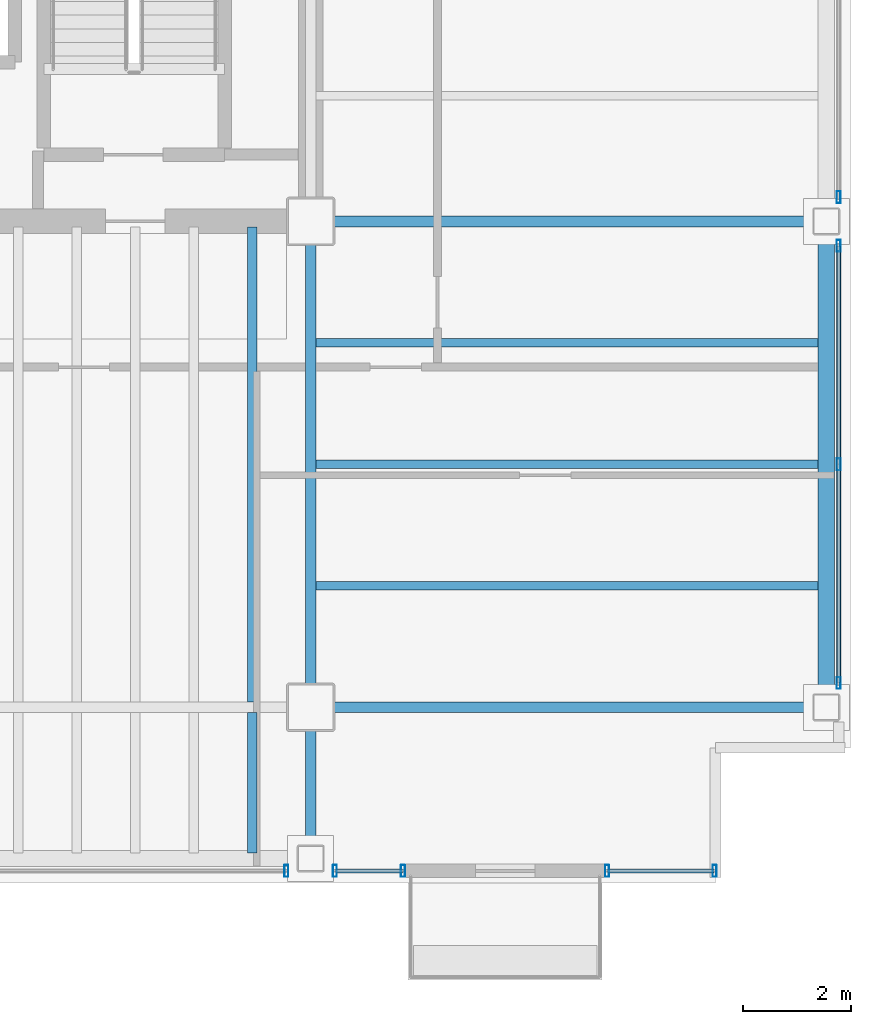
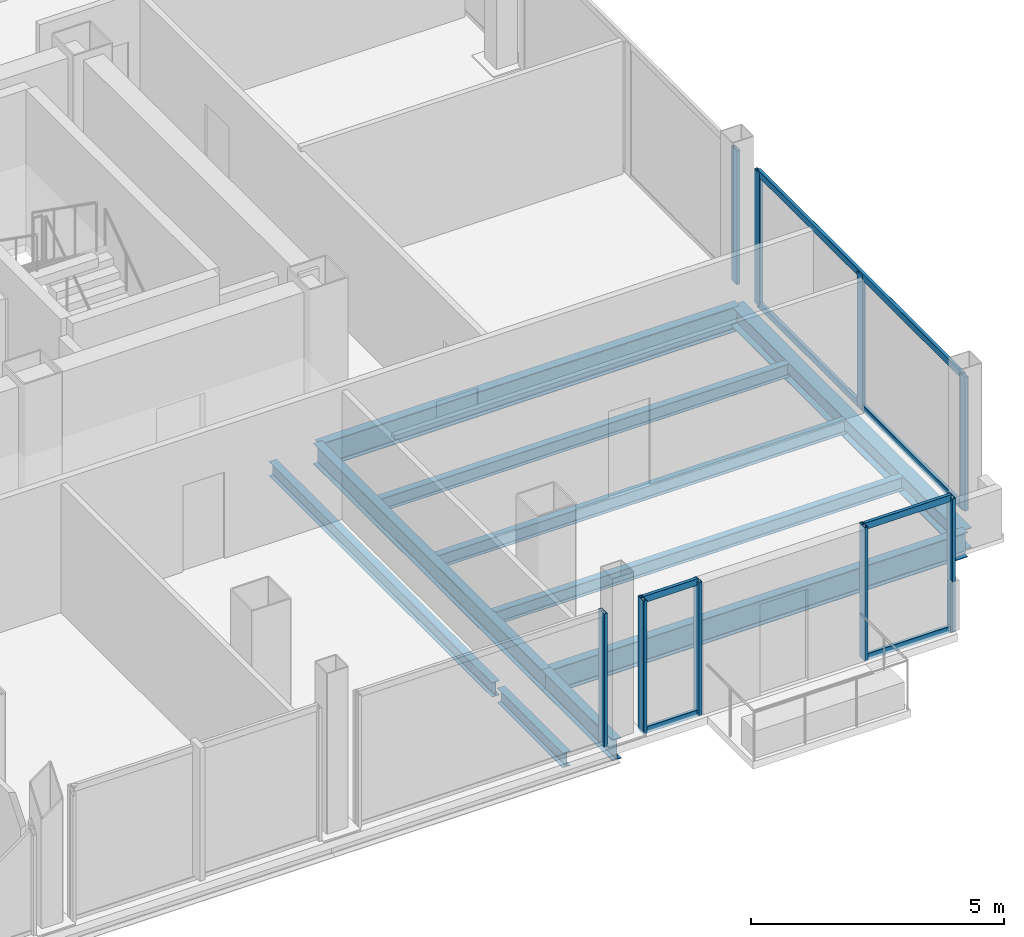
# One storey, part 10 of 16: 15 members, 10 beams, 5 elements without a shape of their own.
"""IFC4 building model written with IfcOpenShell, lengths in metres."""

import ifcopenshell
import ifcopenshell.guid

model = None  # the IFC model being written
_history = None  # IfcOwnerHistory: only IFC2X3 demands one
_inside = {}  # id of a spatial element -> (the spatial element, [elements in it])
_under = {}  # id of a project, library or spatial element -> (it, [spatial elements below it])
_declared = {}  # id of a project -> (the project, [libraries it declares])
_typed = {}  # id of a type object -> (the type object, [elements of that type])
_made_of = {}  # id of a material, layer set ... -> (it, [elements and type objects made of it])


def new_model(schema):
    """Start an empty IFC model of exactly this schema.

    Asked for "IFC4X3", IfcOpenShell would pick the latest addendum, in which some entities
    have other attributes; the version numbers below select the first issue.
    IFC2X3 requires an IfcOwnerHistory on every rooted entity: one is made here for all.
    """
    global model, _history
    if schema == "IFC4X3":
        model = ifcopenshell.file(schema_version=(4, 3, 0, 0))
    else:
        model = ifcopenshell.file(schema=schema)
    _inside.clear()
    _under.clear()
    _declared.clear()
    _typed.clear()
    _made_of.clear()
    _history = None
    if model.schema == "IFC2X3":
        org = make("IfcOrganization", Name="unknown")
        user = make(
            "IfcPersonAndOrganization",
            ThePerson=make("IfcPerson", FamilyName="unknown"),
            TheOrganization=org,
        )
        app = make(
            "IfcApplication",
            ApplicationDeveloper=org,
            Version="unknown",
            ApplicationFullName="unknown",
            ApplicationIdentifier="unknown",
        )
        _history = make(
            "IfcOwnerHistory",
            OwningUser=user,
            OwningApplication=app,
            ChangeAction="ADDED",
            CreationDate=0,
        )
    return model


def make(cls, **values):
    """One entity of the class cls with the attributes given. An attribute that is None is left unset."""
    return model.create_entity(
        cls, **{name: value for name, value in values.items() if value is not None}
    )


def rooted(cls, **values):
    """An entity with a GlobalId (a new one), such as an element, a storey or a relation."""
    return make(cls, GlobalId=ifcopenshell.guid.new(), OwnerHistory=_history, **values)


def si_unit(unit_type, name, prefix=None):
    """IfcSIUnit, for example si_unit("LENGTHUNIT", "METRE", prefix="MILLI")."""
    return make("IfcSIUnit", UnitType=unit_type, Prefix=prefix, Name=name)


def assignment(units):
    """IfcUnitAssignment: the units of a project."""
    return None if units is None else make("IfcUnitAssignment", Units=units)


def point(xyz):
    """IfcCartesianPoint."""
    return None if xyz is None else make("IfcCartesianPoint", Coordinates=xyz)


def direction(xyz):
    """IfcDirection."""
    return None if xyz is None else make("IfcDirection", DirectionRatios=xyz)


def frame(location, z_axis=None, x_axis=None):
    """IfcAxis2Placement3D, a coordinate frame: its origin and axes. An axis left out is left unset."""
    return make(
        "IfcAxis2Placement3D",
        Location=point(location),
        Axis=direction(z_axis),
        RefDirection=direction(x_axis),
    )


def frame_2d(location, x_axis=None):
    """IfcAxis2Placement2D, a coordinate frame in the plane: its origin and x axis."""
    return make(
        "IfcAxis2Placement2D", Location=point(location), RefDirection=direction(x_axis)
    )


def origin():
    """The frame at (0, 0, 0) with its axes left unset."""
    return frame((0.0, 0.0, 0.0))


def origin_2d():
    """The frame at (0, 0) in the plane with its x axis left unset."""
    return frame_2d((0.0, 0.0))


def place(relative_to, where):
    """IfcLocalPlacement: puts the frame where relative to a parent placement (None: the world)."""
    return make(
        "IfcLocalPlacement", PlacementRelTo=relative_to, RelativePlacement=where
    )


def context(
    kind, dimensions, precision=None, world=None, true_north=None, identifier=None
):
    """IfcGeometricRepresentationContext, for example the 3D "Model" context."""
    return make(
        "IfcGeometricRepresentationContext",
        ContextIdentifier=identifier,
        ContextType=kind,
        CoordinateSpaceDimension=dimensions,
        Precision=precision,
        WorldCoordinateSystem=world,
        TrueNorth=true_north,
    )


def subcontext(parent, identifier, kind, view, scale=None):
    """IfcGeometricRepresentationSubContext, for example "Body" below "Model"."""
    return make(
        "IfcGeometricRepresentationSubContext",
        ContextIdentifier=identifier,
        ContextType=kind,
        ParentContext=parent,
        TargetScale=scale,
        TargetView=view,
    )


def project(units=None, contexts=None):
    """IfcProject with its units and contexts."""
    return rooted(
        "IfcProject",
        Name="project",
        RepresentationContexts=contexts,
        UnitsInContext=assignment(units),
    )


def spatial(cls, under=None, at=None, **own):
    """A site, building, storey or space (cls), placed at a placement, below another one or the project."""
    s = rooted(cls, ObjectPlacement=at, **own)
    if under is not None:
        _under.setdefault(under.id(), (under, []))[1].append(s)
    return s


def profile(cls, at=None, kind="AREA", **sizes):
    """A parametric profile (cls). Its sizes go by their IFC names, for example OverallWidth=200.0."""
    return make(cls, ProfileType=kind, Position=at, **sizes)


def hollow_rectangle(**sizes):
    """IfcRectangleHollowProfileDef."""
    return profile("IfcRectangleHollowProfileDef", **sizes)


def i_section(**sizes):
    """IfcIShapeProfileDef."""
    return profile("IfcIShapeProfileDef", **sizes)


def extrude(swept, where, along, depth):
    """IfcExtrudedAreaSolid: the profile swept, set in the frame where, extruded along a direction by depth."""
    return make(
        "IfcExtrudedAreaSolid",
        SweptArea=swept,
        Position=where,
        ExtrudedDirection=direction(along),
        Depth=depth,
    )


def shape(context_of_items, identifier, shape_type, items):
    """IfcShapeRepresentation: the items that make up one representation, for example the "Body"."""
    return make(
        "IfcShapeRepresentation",
        ContextOfItems=context_of_items,
        RepresentationIdentifier=identifier,
        RepresentationType=shape_type,
        Items=items,
    )


def material(Name=None, Category=None):
    """IfcMaterial."""
    return make("IfcMaterial", Name=Name, Category=Category)


def material_profile(
    of_material, cross_section, Name=None, Category=None, Priority=None
):
    """IfcMaterialProfile: a cross section and its material."""
    return make(
        "IfcMaterialProfile",
        Name=Name,
        Material=of_material,
        Profile=cross_section,
        Priority=Priority,
        Category=Category,
    )


def profile_set(profiles, Name=None, composite=None):
    """IfcMaterialProfileSet."""
    return make(
        "IfcMaterialProfileSet",
        Name=Name,
        MaterialProfiles=profiles,
        CompositeProfile=composite,
    )


def made_of(thing, what):
    """Note that an element or type object is made of a material, layer set ...; save() writes the relation."""
    if what is not None:
        _made_of.setdefault(what.id(), (what, []))[1].append(thing)
    return thing


def type_object(cls, material=None, **own):
    """A type object (cls), such as IfcWallType, which elements share."""
    return made_of(rooted(cls, **own), material)


def element(
    cls,
    number,
    at=None,
    inside=None,
    cuts=None,
    type_object=None,
    material=None,
    context=None,
    identifier="Body",
    shape_type=None,
    held_by="IfcProductDefinitionShape",
    body=None,
    shapes=None,
    **own,
):
    """One element of the class cls, such as IfcWall. Its Tag is "e" and its number.

    at: its placement. inside: the storey or other place that contains it. cuts: it is an
    opening in that element (IfcRelVoidsElement). A single representation is given by context,
    identifier, shape_type and body (its items); several are given by shapes. held_by: the class
    of the entity that holds the representations. save() writes the other relations.
    """
    e = rooted(cls, Tag="e%d" % number, ObjectPlacement=at, **own)
    if body is not None:
        shapes = [shape(context, identifier, shape_type, body)]
    if shapes is not None:
        e.Representation = make(held_by, Representations=shapes)
    if inside is not None:
        _inside.setdefault(inside.id(), (inside, []))[1].append(e)
    if cuts is not None:
        rooted(
            "IfcRelVoidsElement", RelatingBuildingElement=cuts, RelatedOpeningElement=e
        )
    if type_object is not None:
        _typed.setdefault(type_object.id(), (type_object, []))[1].append(e)
    return made_of(e, material)


def aggregate(whole, parts):
    """IfcRelAggregates: a whole, such as a stair, and the parts it consists of."""
    return rooted("IfcRelAggregates", RelatingObject=whole, RelatedObjects=parts)


def save(model, path):
    """Write the relations noted so far, then the file.

    IfcRelAggregates (storeys below a building ...), IfcRelContainedInSpatialStructure (elements
    in a storey), IfcRelDefinesByType, IfcRelAssociatesMaterial and IfcRelDeclares: one each for
    every whole, place, type object, material and project.
    """
    for whole, parts in _under.values():
        aggregate(whole, parts)
    for where, things in _inside.values():
        rooted(
            "IfcRelContainedInSpatialStructure",
            RelatedElements=things,
            RelatingStructure=where,
        )
    for kind, things in _typed.values():
        rooted("IfcRelDefinesByType", RelatedObjects=things, RelatingType=kind)
    for what, things in _made_of.values():
        rooted("IfcRelAssociatesMaterial", RelatedObjects=things, RelatingMaterial=what)
    for by, libraries in _declared.values():
        rooted("IfcRelDeclares", RelatingContext=by, RelatedDefinitions=libraries)
    model.write(path)


model = new_model("IFC4")

# Units and contexts
model_context = context("Model", 3, precision=1e-05, world=origin(), true_north=direction((0.0, 1.0)))
body_context = subcontext(model_context, "Body", "Model", "MODEL_VIEW")
ifc_project = project(units=[si_unit("LENGTHUNIT", "METRE"), si_unit("AREAUNIT", "SQUARE_METRE"), si_unit("VOLUMEUNIT", "CUBIC_METRE"), si_unit("PLANEANGLEUNIT", "RADIAN"), si_unit("MASSUNIT", "GRAM", prefix="KILO")], contexts=[model_context])

# Site, building, storey
site_placement = place(None, origin())
site = spatial("IfcSite", under=ifc_project, at=site_placement, CompositionType="ELEMENT")
building_placement = place(site_placement, origin())
building = spatial("IfcBuilding", under=site, at=building_placement, Name="Noeulbin Bourse Tower", CompositionType="ELEMENT")
storey_placement = place(building_placement, frame((0.0, 0.0, 181.199951171875)))
storey = spatial("IfcBuildingStorey", under=building, at=storey_placement, Name="L45", CompositionType="ELEMENT", Elevation=181.199951171875)

# Beams
ifc_material_1 = material(Name="Steel S355", Category="steel")
ifc_material_profile_1 = material_profile(ifc_material_1, i_section(OverallWidth=0.199951171875, OverallDepth=0.5, WebThickness=0.010009765625, FlangeThickness=0.01611328125, FilletRadius=0.02001953125, at=origin_2d()), Name="H-500x200x10x16", Category="LoadBearing")
ifc_profile_set_1 = profile_set([ifc_material_profile_1], Name="Steel S355")
beam_type_1 = type_object("IfcBeamType", Name="BM-GRD-500", PredefinedType="USERDEFINED", material=ifc_profile_set_1)
beam_1_placement = place(storey_placement, frame((44.0, 17.199951171875, -0.429931640625), z_axis=(0.0, 1.0, 0.0), x_axis=(-1.0, 0.0, 0.0)))
element("IfcBeam", 1, at=beam_1_placement, inside=storey, type_object=beam_type_1, Name="Tower Primary Girder NS L45-5.1", ObjectType="GIRDER", PredefinedType="USERDEFINED", context=body_context, shape_type="SweptSolid", body=[
    extrude(i_section(OverallWidth=0.199951171875, OverallDepth=0.5, WebThickness=0.010009765625, FlangeThickness=0.01611328125, FilletRadius=0.02001953125, at=origin_2d()), origin(), (0.0, 0.0, 1.0), 2.800048828125),
])
beam_2_placement = place(storey_placement, frame((44.0, 20.0, -0.429931640625), z_axis=(0.0, 1.0, 0.0), x_axis=(-1.0, 0.0, 0.0)))
element("IfcBeam", 2, at=beam_2_placement, inside=storey, type_object=beam_type_1, Name="Tower Primary Girder NS L45-5.2", ObjectType="GIRDER", PredefinedType="USERDEFINED", context=body_context, shape_type="SweptSolid", body=[
    extrude(i_section(OverallWidth=0.199951171875, OverallDepth=0.5, WebThickness=0.010009765625, FlangeThickness=0.01611328125, FilletRadius=0.02001953125, at=origin_2d()), origin(), (0.0, 0.0, 1.0), 9.0),
])
ifc_material_profile_2 = material_profile(ifc_material_1, i_section(OverallWidth=0.199951171875, OverallDepth=0.60009765625, WebThickness=0.010986328125, FlangeThickness=0.01708984375, FilletRadius=0.02197265625, at=origin_2d()), Name="H-600x200x11x17", Category="LoadBearing")
ifc_profile_set_2 = profile_set([ifc_material_profile_2], Name="Steel S355")
beam_type_2 = type_object("IfcBeamType", Name="BM-GRD-600", PredefinedType="USERDEFINED", material=ifc_profile_set_2)
for number, where, z_axis, x_axis, name in (
    (3, (44.0, 20.0, -0.47998046875), (1.0, 0.0, 0.0), (0.0, 1.0, 0.0), "Tower Primary Girder EW L45-1.6"),
    (4, (44.0, 29.0, -0.47998046875), (1.0, 0.0, 0.0), (0.0, 1.0, 0.0), "Tower Primary Girder EW L45-2.6"),
):
    element("IfcBeam", number, at=place(storey_placement, frame(where, z_axis=z_axis, x_axis=x_axis)), inside=storey, type_object=beam_type_2, Name=name, ObjectType="GIRDER", PredefinedType="USERDEFINED", context=body_context, shape_type="SweptSolid", body=[
        extrude(i_section(OverallWidth=0.199951171875, OverallDepth=0.60009765625, WebThickness=0.010986328125, FlangeThickness=0.01708984375, FilletRadius=0.02197265625, at=origin_2d()), origin(), (0.0, 0.0, 1.0), 9.550048828125),
    ])
ifc_material_profile_3 = material_profile(ifc_material_1, i_section(OverallWidth=0.159912109375, OverallDepth=0.320068359375, WebThickness=0.006591796875, FlangeThickness=0.010009765625, FilletRadius=0.012939453125, at=origin_2d()), Name="H-320x160x6.5x10", Category="LoadBearing")
ifc_profile_set_3 = profile_set([ifc_material_profile_3], Name="Steel S355")
beam_type_3 = type_object("IfcBeamType", Name="BM-JST-320", PredefinedType="JOIST", material=ifc_profile_set_3)
for number, where, z_axis, x_axis, name in (
    (5, (44.10009765625, 22.25, -0.33984375), (1.0, 0.0, 0.0), (0.0, 1.0, 0.0), "Wing Composite Joist L45-E73"),
    (6, (44.10009765625, 24.5, -0.33984375), (1.0, 0.0, 0.0), (0.0, 1.0, 0.0), "Wing Composite Joist L45-E74"),
    (7, (44.10009765625, 26.75, -0.33984375), (1.0, 0.0, 0.0), (0.0, 1.0, 0.0), "Wing Composite Joist L45-E75"),
):
    element("IfcBeam", number, at=place(storey_placement, frame(where, z_axis=z_axis, x_axis=x_axis)), inside=storey, type_object=beam_type_3, Name=name, PredefinedType="JOIST", context=body_context, shape_type="SweptSolid", body=[
        extrude(i_section(OverallWidth=0.159912109375, OverallDepth=0.320068359375, WebThickness=0.006591796875, FlangeThickness=0.010009765625, FilletRadius=0.012939453125, at=origin_2d()), origin(), (0.0, 0.0, 1.0), 9.2998046875),
    ])
ifc_material_profile_4 = material_profile(ifc_material_1, i_section(OverallWidth=0.175048828125, OverallDepth=0.35009765625, WebThickness=0.007080078125, FlangeThickness=0.010986328125, FilletRadius=0.013916015625, at=origin_2d()), Name="H-350x175x7x11", Category="LoadBearing")
ifc_profile_set_4 = profile_set([ifc_material_profile_4], Name="Steel S355")
beam_type_4 = type_object("IfcBeamType", Name="BM-JST-350", PredefinedType="JOIST", material=ifc_profile_set_4)
beam_3_placement = place(storey_placement, frame((42.916748046875, 17.300048828125, -0.35498046875), z_axis=(0.0, 1.0, 0.0), x_axis=(-1.0, 0.0, 0.0)))
element("IfcBeam", 8, at=beam_3_placement, inside=storey, type_object=beam_type_4, Name="Tower Composite Joist L45-64", PredefinedType="JOIST", context=body_context, shape_type="SweptSolid", body=[
    extrude(i_section(OverallWidth=0.175048828125, OverallDepth=0.35009765625, WebThickness=0.007080078125, FlangeThickness=0.010986328125, FilletRadius=0.013916015625, at=origin_2d()), origin(), (0.0, 0.0, 1.0), 2.599853515625),
])
beam_4_placement = place(storey_placement, frame((42.916748046875, 20.10009765625, -0.35498046875), z_axis=(0.0, 1.0, 0.0), x_axis=(-1.0, 0.0, 0.0)))
element("IfcBeam", 9, at=beam_4_placement, inside=storey, type_object=beam_type_4, Name="Tower Composite Joist L45-65", PredefinedType="JOIST", context=body_context, shape_type="SweptSolid", body=[
    extrude(i_section(OverallWidth=0.175048828125, OverallDepth=0.35009765625, WebThickness=0.007080078125, FlangeThickness=0.010986328125, FilletRadius=0.013916015625, at=origin_2d()), origin(), (0.0, 0.0, 1.0), 8.7998046875),
])
ifc_material_profile_5 = material_profile(ifc_material_1, i_section(OverallWidth=0.300048828125, OverallDepth=0.488037109375, WebThickness=0.010986328125, FlangeThickness=0.01806640625, FilletRadius=0.02197265625, at=origin_2d()), Name="H-488x300x11x18", Category="LoadBearing")
ifc_profile_set_5 = profile_set([ifc_material_profile_5], Name="Steel S355")
beam_type_5 = type_object("IfcBeamType", Name="BM-SPN-488", PredefinedType="SPANDREL", material=ifc_profile_set_5)
beam_5_placement = place(storey_placement, frame((53.550048828125, 20.0, -0.424072265625), z_axis=(0.0, 1.0, 0.0), x_axis=(-1.0, 0.0, 0.0)))
element("IfcBeam", 10, at=beam_5_placement, inside=storey, type_object=beam_type_5, Name="East Spandrel L45-1", PredefinedType="SPANDREL", context=body_context, shape_type="SweptSolid", body=[
    extrude(i_section(OverallWidth=0.300048828125, OverallDepth=0.488037109375, WebThickness=0.010986328125, FlangeThickness=0.01806640625, FilletRadius=0.02197265625, at=origin_2d()), origin(), (0.0, 0.0, 1.0), 9.0),
])

# Curtain wall, member
ifc_material_2 = material(Name="Dark Tinted Triple Glazing", Category="glass")
curtain_wall_type = type_object("IfcCurtainWallType", Name="CW-SYS-3", PredefinedType="NOTDEFINED", material=ifc_material_2)
curtain_wall_1_placement = place(storey_placement, origin())
curtain_wall_1 = element("IfcCurtainWall", 11, at=curtain_wall_1_placement, inside=storey, type_object=curtain_wall_type, Name="Unitised Curtain Wall CW-L45-S2-S3", PredefinedType="NOTDEFINED")
ifc_material_3 = material(Name="Anodised Aluminium 6063-T6", Category="aluminium")
ifc_material_profile_6 = material_profile(ifc_material_3, hollow_rectangle(XDim=0.074951171875, YDim=0.219970703125, WallThickness=0.0048828125, InnerFilletRadius=0.00244140625, OuterFilletRadius=0.0048828125, at=origin_2d()), Name="ALU-MULL-75x220x5", Category="LoadBearing")
ifc_profile_set_6 = profile_set([ifc_material_profile_6], Name="Anodised Aluminium 6063-T6")
member_type_1 = type_object("IfcMemberType", Name="CW-SYS-3-MUL", PredefinedType="MULLION", material=ifc_profile_set_6)
member_1_placement = place(storey_placement, frame((43.550048828125, 16.969970703125, -0.02001953125), z_axis=(0.0, 0.0, 1.0), x_axis=(1.0, 0.0, 0.0)))
member_1 = element("IfcMember", 12, at=member_1_placement, type_object=member_type_1, Name="Curtain Wall Mullion CW-L45-S2-S3-M01", PredefinedType="MULLION", context=body_context, shape_type="SweptSolid", body=[
    extrude(hollow_rectangle(XDim=0.074951171875, YDim=0.219970703125, WallThickness=0.0048828125, InnerFilletRadius=0.00244140625, OuterFilletRadius=0.0048828125, at=origin_2d()), origin(), (0.0, 0.0, 1.0), 3.219970703125),
])
aggregate(curtain_wall_1, [member_1])

# Curtain wall, members
curtain_wall_2_placement = place(storey_placement, origin())
curtain_wall_2 = element("IfcCurtainWall", 13, at=curtain_wall_2_placement, inside=storey, type_object=curtain_wall_type, Name="Unitised Curtain Wall CW-L45-S2-S4", PredefinedType="NOTDEFINED")
member_2_placement = place(storey_placement, frame((44.449951171875, 16.969970703125, -0.02001953125), z_axis=(0.0, 0.0, 1.0), x_axis=(1.0, 0.0, 0.0)))
member_2 = element("IfcMember", 14, at=member_2_placement, type_object=member_type_1, Name="Curtain Wall Mullion CW-L45-S2-S4-M00", PredefinedType="MULLION", context=body_context, shape_type="SweptSolid", body=[
    extrude(hollow_rectangle(XDim=0.074951171875, YDim=0.219970703125, WallThickness=0.0048828125, InnerFilletRadius=0.00244140625, OuterFilletRadius=0.0048828125, at=origin_2d()), origin(), (0.0, 0.0, 1.0), 3.219970703125),
])
member_3_placement = place(storey_placement, frame((45.7099609375, 16.969970703125, -0.02001953125), z_axis=(0.0, 0.0, 1.0), x_axis=(1.0, 0.0, 0.0)))
member_3 = element("IfcMember", 15, at=member_3_placement, type_object=member_type_1, Name="Curtain Wall Mullion CW-L45-S2-S4-M01", PredefinedType="MULLION", context=body_context, shape_type="SweptSolid", body=[
    extrude(hollow_rectangle(XDim=0.074951171875, YDim=0.219970703125, WallThickness=0.0048828125, InnerFilletRadius=0.00244140625, OuterFilletRadius=0.0048828125, at=origin_2d()), origin(), (0.0, 0.0, 1.0), 3.219970703125),
])

curtain_wall_3_placement = place(storey_placement, origin())
curtain_wall_3 = element("IfcCurtainWall", 16, at=curtain_wall_3_placement, inside=storey, type_object=curtain_wall_type, Name="Unitised Curtain Wall CW-L45-S3", PredefinedType="NOTDEFINED")
member_4_placement = place(storey_placement, frame((49.489990234375, 16.969970703125, -0.02001953125), z_axis=(0.0, 0.0, 1.0), x_axis=(1.0, 0.0, 0.0)))
member_4 = element("IfcMember", 17, at=member_4_placement, type_object=member_type_1, Name="Curtain Wall Mullion CW-L45-S3-M00", PredefinedType="MULLION", context=body_context, shape_type="SweptSolid", body=[
    extrude(hollow_rectangle(XDim=0.074951171875, YDim=0.219970703125, WallThickness=0.0048828125, InnerFilletRadius=0.00244140625, OuterFilletRadius=0.0048828125, at=origin_2d()), origin(), (0.0, 0.0, 1.0), 3.219970703125),
])
member_5_placement = place(storey_placement, frame((51.47998046875, 16.969970703125, -0.02001953125), z_axis=(0.0, 0.0, 1.0), x_axis=(1.0, 0.0, 0.0)))
member_5 = element("IfcMember", 18, at=member_5_placement, type_object=member_type_1, Name="Curtain Wall Mullion CW-L45-S3-M01", PredefinedType="MULLION", context=body_context, shape_type="SweptSolid", body=[
    extrude(hollow_rectangle(XDim=0.074951171875, YDim=0.219970703125, WallThickness=0.0048828125, InnerFilletRadius=0.00244140625, OuterFilletRadius=0.0048828125, at=origin_2d()), origin(), (0.0, 0.0, 1.0), 3.219970703125),
])

curtain_wall_4_placement = place(storey_placement, origin())
curtain_wall_4 = element("IfcCurtainWall", 19, at=curtain_wall_4_placement, inside=storey, type_object=curtain_wall_type, Name="Unitised Curtain Wall CW-L45-E-S1", PredefinedType="NOTDEFINED")
member_6_placement = place(storey_placement, frame((53.780029296875, 20.449951171875, -0.02001953125), z_axis=(0.0, 0.0, 1.0), x_axis=(1.0, 0.0, 0.0)))
member_6 = element("IfcMember", 20, at=member_6_placement, type_object=member_type_1, Name="Curtain Wall Mullion CW-L45-E-S1-M00", PredefinedType="MULLION", context=body_context, shape_type="SweptSolid", body=[
    extrude(hollow_rectangle(XDim=0.074951171875, YDim=0.219970703125, WallThickness=0.0048828125, InnerFilletRadius=0.00244140625, OuterFilletRadius=0.0048828125, at=origin_2d()), origin(), (0.0, 0.0, 1.0), 3.219970703125),
])
member_7_placement = place(storey_placement, frame((53.780029296875, 24.5, -0.02001953125), z_axis=(0.0, 0.0, 1.0), x_axis=(1.0, 0.0, 0.0)))
member_7 = element("IfcMember", 21, at=member_7_placement, type_object=member_type_1, Name="Curtain Wall Mullion CW-L45-E-S1-M01", PredefinedType="MULLION", context=body_context, shape_type="SweptSolid", body=[
    extrude(hollow_rectangle(XDim=0.074951171875, YDim=0.219970703125, WallThickness=0.0048828125, InnerFilletRadius=0.00244140625, OuterFilletRadius=0.0048828125, at=origin_2d()), origin(), (0.0, 0.0, 1.0), 3.219970703125),
])
member_8_placement = place(storey_placement, frame((53.780029296875, 28.550048828125, -0.02001953125), z_axis=(0.0, 0.0, 1.0), x_axis=(1.0, 0.0, 0.0)))
member_8 = element("IfcMember", 22, at=member_8_placement, type_object=member_type_1, Name="Curtain Wall Mullion CW-L45-E-S1-M02", PredefinedType="MULLION", context=body_context, shape_type="SweptSolid", body=[
    extrude(hollow_rectangle(XDim=0.074951171875, YDim=0.219970703125, WallThickness=0.0048828125, InnerFilletRadius=0.00244140625, OuterFilletRadius=0.0048828125, at=origin_2d()), origin(), (0.0, 0.0, 1.0), 3.219970703125),
])

# Curtain wall, member
curtain_wall_5_placement = place(storey_placement, origin())
curtain_wall_5 = element("IfcCurtainWall", 23, at=curtain_wall_5_placement, inside=storey, type_object=curtain_wall_type, Name="Unitised Curtain Wall CW-L45-E-S2", PredefinedType="NOTDEFINED")
member_9_placement = place(storey_placement, frame((53.780029296875, 29.449951171875, -0.02001953125), z_axis=(0.0, 0.0, 1.0), x_axis=(1.0, 0.0, 0.0)))
member_9 = element("IfcMember", 24, at=member_9_placement, type_object=member_type_1, Name="Curtain Wall Mullion CW-L45-E-S2-M00", PredefinedType="MULLION", context=body_context, shape_type="SweptSolid", body=[
    extrude(hollow_rectangle(XDim=0.074951171875, YDim=0.219970703125, WallThickness=0.0048828125, InnerFilletRadius=0.00244140625, OuterFilletRadius=0.0048828125, at=origin_2d()), origin(), (0.0, 0.0, 1.0), 3.219970703125),
])
aggregate(curtain_wall_5, [member_9])

# Member
ifc_material_profile_7 = material_profile(ifc_material_3, hollow_rectangle(XDim=0.074951171875, YDim=0.159912109375, WallThickness=0.0048828125, InnerFilletRadius=0.00244140625, OuterFilletRadius=0.0048828125, at=origin_2d()), Name="ALU-TRAN-75x160x5", Category="LoadBearing")
ifc_profile_set_7 = profile_set([ifc_material_profile_7], Name="Anodised Aluminium 6063-T6")
member_type_2 = type_object("IfcMemberType", Name="CW-SYS-3-TRN", PredefinedType="USERDEFINED", material=ifc_profile_set_7)
member_10_placement = place(storey_placement, frame((44.4599609375, 16.969970703125, 0.010009765625), z_axis=(1.0, 0.0, 0.0), x_axis=(0.0, 1.0, 0.0)))
member_10 = element("IfcMember", 25, at=member_10_placement, type_object=member_type_2, Name="Curtain Wall Transom CW-L45-S2-S4-T00", ObjectType="TRANSOM", PredefinedType="USERDEFINED", context=body_context, shape_type="SweptSolid", body=[
    extrude(hollow_rectangle(XDim=0.074951171875, YDim=0.159912109375, WallThickness=0.0048828125, InnerFilletRadius=0.00244140625, OuterFilletRadius=0.0048828125, at=origin_2d()), origin(), (0.0, 0.0, 1.0), 1.239990234375),
])

member_11_placement = place(storey_placement, frame((44.4599609375, 16.969970703125, 3.170166015625), z_axis=(1.0, 0.0, 0.0), x_axis=(0.0, 1.0, 0.0)))
member_11 = element("IfcMember", 26, at=member_11_placement, type_object=member_type_2, Name="Curtain Wall Transom CW-L45-S2-S4-T01", ObjectType="TRANSOM", PredefinedType="USERDEFINED", context=body_context, shape_type="SweptSolid", body=[
    extrude(hollow_rectangle(XDim=0.074951171875, YDim=0.159912109375, WallThickness=0.0048828125, InnerFilletRadius=0.00244140625, OuterFilletRadius=0.0048828125, at=origin_2d()), origin(), (0.0, 0.0, 1.0), 1.239990234375),
])

aggregate(curtain_wall_2, [member_2, member_3, member_10, member_11])

member_12_placement = place(storey_placement, frame((49.5, 16.969970703125, 0.010009765625), z_axis=(1.0, 0.0, 0.0), x_axis=(0.0, 1.0, 0.0)))
member_12 = element("IfcMember", 27, at=member_12_placement, type_object=member_type_2, Name="Curtain Wall Transom CW-L45-S3-T00", ObjectType="TRANSOM", PredefinedType="USERDEFINED", context=body_context, shape_type="SweptSolid", body=[
    extrude(hollow_rectangle(XDim=0.074951171875, YDim=0.159912109375, WallThickness=0.0048828125, InnerFilletRadius=0.00244140625, OuterFilletRadius=0.0048828125, at=origin_2d()), origin(), (0.0, 0.0, 1.0), 1.969970703125),
])

member_13_placement = place(storey_placement, frame((49.5, 16.969970703125, 3.170166015625), z_axis=(1.0, 0.0, 0.0), x_axis=(0.0, 1.0, 0.0)))
member_13 = element("IfcMember", 28, at=member_13_placement, type_object=member_type_2, Name="Curtain Wall Transom CW-L45-S3-T01", ObjectType="TRANSOM", PredefinedType="USERDEFINED", context=body_context, shape_type="SweptSolid", body=[
    extrude(hollow_rectangle(XDim=0.074951171875, YDim=0.159912109375, WallThickness=0.0048828125, InnerFilletRadius=0.00244140625, OuterFilletRadius=0.0048828125, at=origin_2d()), origin(), (0.0, 0.0, 1.0), 1.969970703125),
])

aggregate(curtain_wall_3, [member_4, member_5, member_12, member_13])

member_14_placement = place(storey_placement, frame((53.780029296875, 20.4599609375, 0.010009765625), z_axis=(0.0, 1.0, 0.0), x_axis=(-1.0, 0.0, 0.0)))
member_14 = element("IfcMember", 29, at=member_14_placement, type_object=member_type_2, Name="Curtain Wall Transom CW-L45-E-S1-T00", ObjectType="TRANSOM", PredefinedType="USERDEFINED", context=body_context, shape_type="SweptSolid", body=[
    extrude(hollow_rectangle(XDim=0.074951171875, YDim=0.159912109375, WallThickness=0.0048828125, InnerFilletRadius=0.00244140625, OuterFilletRadius=0.0048828125, at=origin_2d()), origin(), (0.0, 0.0, 1.0), 8.080078125),
])

member_15_placement = place(storey_placement, frame((53.780029296875, 20.4599609375, 3.170166015625), z_axis=(0.0, 1.0, 0.0), x_axis=(-1.0, 0.0, 0.0)))
member_15 = element("IfcMember", 30, at=member_15_placement, type_object=member_type_2, Name="Curtain Wall Transom CW-L45-E-S1-T01", ObjectType="TRANSOM", PredefinedType="USERDEFINED", context=body_context, shape_type="SweptSolid", body=[
    extrude(hollow_rectangle(XDim=0.074951171875, YDim=0.159912109375, WallThickness=0.0048828125, InnerFilletRadius=0.00244140625, OuterFilletRadius=0.0048828125, at=origin_2d()), origin(), (0.0, 0.0, 1.0), 8.080078125),
])

aggregate(curtain_wall_4, [member_6, member_7, member_8, member_14, member_15])

save(model, "model.ifc")
